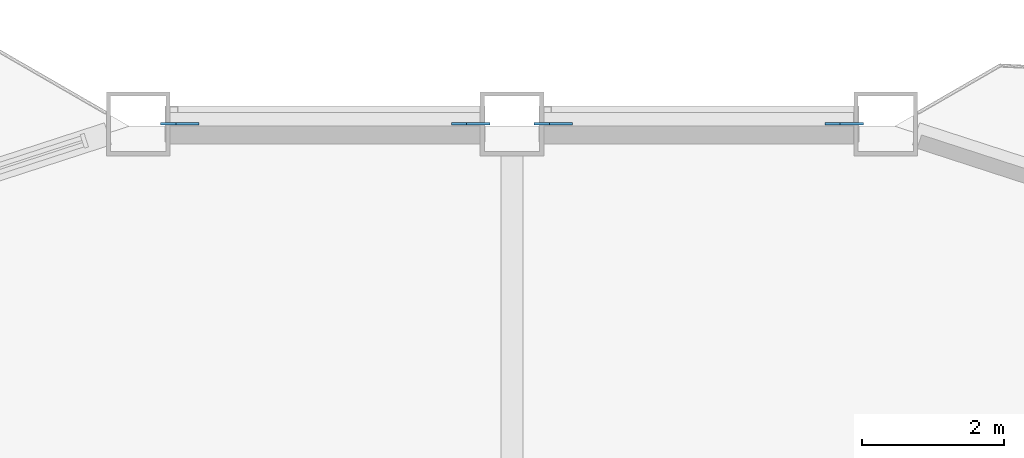
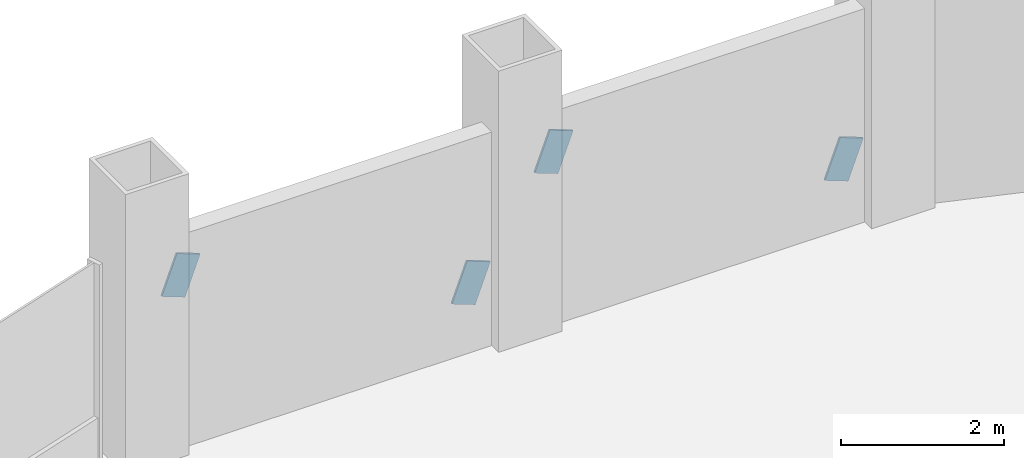
# One storey, part 16 of 21: 4 discrete accessories.
"""IFC4 building model written with IfcOpenShell, lengths in metres."""

from ifc_helpers import new_model, si_unit, direction, frame, origin, origin_2d, place, context, subcontext, project, spatial, rectangle, extrude, material, material_profile, profile_set, type_object, element, save


model = new_model("IFC4")

# Units and contexts
model_context = context("Model", 3, precision=1e-05, world=origin(), true_north=direction((0.0, 1.0)))
body_context = subcontext(model_context, "Body", "Model", "MODEL_VIEW")
ifc_project = project(units=[si_unit("LENGTHUNIT", "METRE"), si_unit("AREAUNIT", "SQUARE_METRE"), si_unit("VOLUMEUNIT", "CUBIC_METRE"), si_unit("PLANEANGLEUNIT", "RADIAN"), si_unit("MASSUNIT", "GRAM", prefix="KILO")], contexts=[model_context])

# Site, building, storey
site_placement = place(None, origin())
site = spatial("IfcSite", under=ifc_project, at=site_placement, CompositionType="ELEMENT")
building_placement = place(site_placement, origin())
building = spatial("IfcBuilding", under=site, at=building_placement, Name="Cormorant Prow Tower", CompositionType="ELEMENT")
storey_placement = place(building_placement, frame((0.0, 0.0, 150.0)))
storey = spatial("IfcBuildingStorey", under=building, at=storey_placement, Name="L32", CompositionType="ELEMENT", Elevation=150.0)

# Discrete accessories
ifc_material = material(Name="Structural steel ASTM A500 Gr C", Category="steel")
ifc_material_profile = material_profile(ifc_material, rectangle(XDim=0.031982421875, YDim=0.60791015625, at=origin_2d()), Name="Gusset plate 32x608")
ifc_profile_set = profile_set([ifc_material_profile], Name="Structural steel ASTM A500 Gr C")
discrete_accessory_type = type_object("IfcDiscreteAccessoryType", Name="Gusset plate 32x608", PredefinedType="BRACKET", material=ifc_profile_set)
for number, where, z_axis, x_axis, name in (
    (1, (4.521240234375, 32.487060546875, 0.882568359375), (0.935379822228, 0.0, -0.353644720261), (0.0, 1.0, 0.0), "Gusset plate GP1 L32.N00.g0"),
    (2, (0.74853515625, 32.487060546875, 2.306396484375), (-0.935697286394, 0.0, 0.35280389487), (0.0, -1.0, 0.0), "Gusset plate GP1 L32.N00.g1"),
):
    element("IfcDiscreteAccessory", number, at=place(storey_placement, frame(where, z_axis=z_axis, x_axis=x_axis)), inside=storey, type_object=discrete_accessory_type, Name=name, PredefinedType="BRACKET", context=body_context, shape_type="SweptSolid", body=[
        extrude(rectangle(XDim=0.031982421875, YDim=0.60791015625, at=origin_2d()), origin(), (0.0, 0.0, 1.0), 0.35009765625),
    ])
discrete_accessory_1_placement = place(storey_placement, frame((-0.74853515625, 32.487060546875, 0.882568359375), z_axis=(0.935466972489, 0.0, -0.35341412448), x_axis=(0.0, 1.0, 0.0)))
element("IfcDiscreteAccessory", 3, at=discrete_accessory_1_placement, inside=storey, type_object=discrete_accessory_type, Name="Gusset plate GP1 L32.N01.g0", PredefinedType="BRACKET", context=body_context, shape_type="SweptSolid", body=[
    extrude(rectangle(XDim=0.031982421875, YDim=0.60791015625, at=origin_2d()), origin(), (0.0, 0.0, 1.0), 0.350341796875),
])
discrete_accessory_2_placement = place(storey_placement, frame((-4.521240234375, 32.487060546875, 2.306396484375), z_axis=(-0.935610415408, 0.0, 0.353034205963), x_axis=(0.0, -1.0, 0.0)))
element("IfcDiscreteAccessory", 4, at=discrete_accessory_2_placement, inside=storey, type_object=discrete_accessory_type, Name="Gusset plate GP1 L32.N01.g1", PredefinedType="BRACKET", context=body_context, shape_type="SweptSolid", body=[
    extrude(rectangle(XDim=0.031982421875, YDim=0.60791015625, at=origin_2d()), origin(), (0.0, 0.0, 1.0), 0.349853515625),
])

save(model, "model.ifc")
